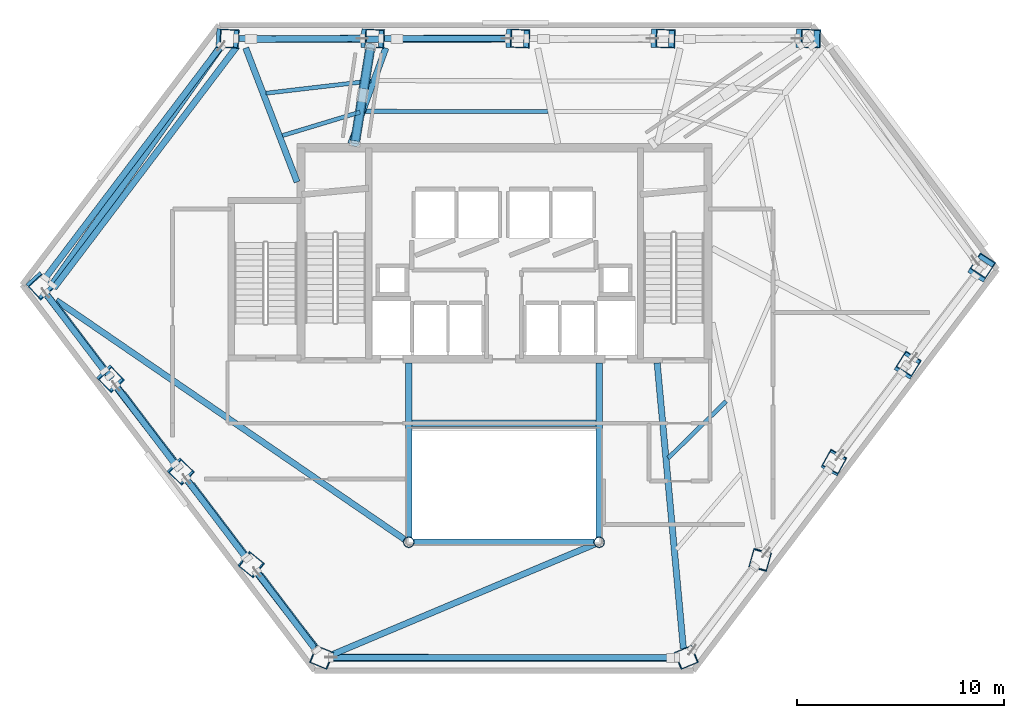
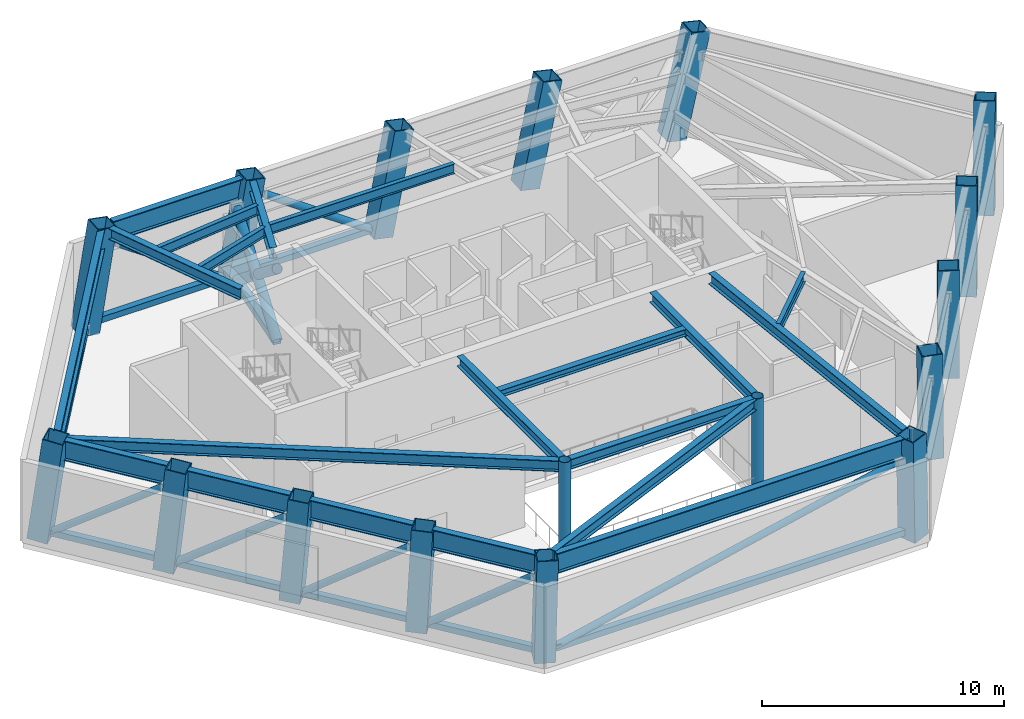
# One storey, part 1 of 9: 20 beams, 20 members, 17 columns.
"""IFC4 building model written with IfcOpenShell, lengths in metres."""

import ifcopenshell
import ifcopenshell.guid

model = None  # the IFC model being written
_history = None  # IfcOwnerHistory: only IFC2X3 demands one
_inside = {}  # id of a spatial element -> (the spatial element, [elements in it])
_under = {}  # id of a project, library or spatial element -> (it, [spatial elements below it])
_declared = {}  # id of a project -> (the project, [libraries it declares])
_typed = {}  # id of a type object -> (the type object, [elements of that type])
_made_of = {}  # id of a material, layer set ... -> (it, [elements and type objects made of it])


def new_model(schema):
    """Start an empty IFC model of exactly this schema.

    Asked for "IFC4X3", IfcOpenShell would pick the latest addendum, in which some entities
    have other attributes; the version numbers below select the first issue.
    IFC2X3 requires an IfcOwnerHistory on every rooted entity: one is made here for all.
    """
    global model, _history
    if schema == "IFC4X3":
        model = ifcopenshell.file(schema_version=(4, 3, 0, 0))
    else:
        model = ifcopenshell.file(schema=schema)
    _inside.clear()
    _under.clear()
    _declared.clear()
    _typed.clear()
    _made_of.clear()
    _history = None
    if model.schema == "IFC2X3":
        org = make("IfcOrganization", Name="unknown")
        user = make(
            "IfcPersonAndOrganization",
            ThePerson=make("IfcPerson", FamilyName="unknown"),
            TheOrganization=org,
        )
        app = make(
            "IfcApplication",
            ApplicationDeveloper=org,
            Version="unknown",
            ApplicationFullName="unknown",
            ApplicationIdentifier="unknown",
        )
        _history = make(
            "IfcOwnerHistory",
            OwningUser=user,
            OwningApplication=app,
            ChangeAction="ADDED",
            CreationDate=0,
        )
    return model


def make(cls, **values):
    """One entity of the class cls with the attributes given. An attribute that is None is left unset."""
    return model.create_entity(
        cls, **{name: value for name, value in values.items() if value is not None}
    )


def rooted(cls, **values):
    """An entity with a GlobalId (a new one), such as an element, a storey or a relation."""
    return make(cls, GlobalId=ifcopenshell.guid.new(), OwnerHistory=_history, **values)


def si_unit(unit_type, name, prefix=None):
    """IfcSIUnit, for example si_unit("LENGTHUNIT", "METRE", prefix="MILLI")."""
    return make("IfcSIUnit", UnitType=unit_type, Prefix=prefix, Name=name)


def assignment(units):
    """IfcUnitAssignment: the units of a project."""
    return None if units is None else make("IfcUnitAssignment", Units=units)


def point(xyz):
    """IfcCartesianPoint."""
    return None if xyz is None else make("IfcCartesianPoint", Coordinates=xyz)


def direction(xyz):
    """IfcDirection."""
    return None if xyz is None else make("IfcDirection", DirectionRatios=xyz)


def frame(location, z_axis=None, x_axis=None):
    """IfcAxis2Placement3D, a coordinate frame: its origin and axes. An axis left out is left unset."""
    return make(
        "IfcAxis2Placement3D",
        Location=point(location),
        Axis=direction(z_axis),
        RefDirection=direction(x_axis),
    )


def frame_2d(location, x_axis=None):
    """IfcAxis2Placement2D, a coordinate frame in the plane: its origin and x axis."""
    return make(
        "IfcAxis2Placement2D", Location=point(location), RefDirection=direction(x_axis)
    )


def origin():
    """The frame at (0, 0, 0) with its axes left unset."""
    return frame((0.0, 0.0, 0.0))


def origin_2d():
    """The frame at (0, 0) in the plane with its x axis left unset."""
    return frame_2d((0.0, 0.0))


def place(relative_to, where):
    """IfcLocalPlacement: puts the frame where relative to a parent placement (None: the world)."""
    return make(
        "IfcLocalPlacement", PlacementRelTo=relative_to, RelativePlacement=where
    )


def context(
    kind, dimensions, precision=None, world=None, true_north=None, identifier=None
):
    """IfcGeometricRepresentationContext, for example the 3D "Model" context."""
    return make(
        "IfcGeometricRepresentationContext",
        ContextIdentifier=identifier,
        ContextType=kind,
        CoordinateSpaceDimension=dimensions,
        Precision=precision,
        WorldCoordinateSystem=world,
        TrueNorth=true_north,
    )


def subcontext(parent, identifier, kind, view, scale=None):
    """IfcGeometricRepresentationSubContext, for example "Body" below "Model"."""
    return make(
        "IfcGeometricRepresentationSubContext",
        ContextIdentifier=identifier,
        ContextType=kind,
        ParentContext=parent,
        TargetScale=scale,
        TargetView=view,
    )


def project(units=None, contexts=None):
    """IfcProject with its units and contexts."""
    return rooted(
        "IfcProject",
        Name="project",
        RepresentationContexts=contexts,
        UnitsInContext=assignment(units),
    )


def spatial(cls, under=None, at=None, **own):
    """A site, building, storey or space (cls), placed at a placement, below another one or the project."""
    s = rooted(cls, ObjectPlacement=at, **own)
    if under is not None:
        _under.setdefault(under.id(), (under, []))[1].append(s)
    return s


def profile(cls, at=None, kind="AREA", **sizes):
    """A parametric profile (cls). Its sizes go by their IFC names, for example OverallWidth=200.0."""
    return make(cls, ProfileType=kind, Position=at, **sizes)


def hollow_rectangle(**sizes):
    """IfcRectangleHollowProfileDef."""
    return profile("IfcRectangleHollowProfileDef", **sizes)


def hollow_circle(**sizes):
    """IfcCircleHollowProfileDef."""
    return profile("IfcCircleHollowProfileDef", **sizes)


def i_section(**sizes):
    """IfcIShapeProfileDef."""
    return profile("IfcIShapeProfileDef", **sizes)


def extrude(swept, where, along, depth):
    """IfcExtrudedAreaSolid: the profile swept, set in the frame where, extruded along a direction by depth."""
    return make(
        "IfcExtrudedAreaSolid",
        SweptArea=swept,
        Position=where,
        ExtrudedDirection=direction(along),
        Depth=depth,
    )


def shape(context_of_items, identifier, shape_type, items):
    """IfcShapeRepresentation: the items that make up one representation, for example the "Body"."""
    return make(
        "IfcShapeRepresentation",
        ContextOfItems=context_of_items,
        RepresentationIdentifier=identifier,
        RepresentationType=shape_type,
        Items=items,
    )


def material(Name=None, Category=None):
    """IfcMaterial."""
    return make("IfcMaterial", Name=Name, Category=Category)


def material_profile(
    of_material, cross_section, Name=None, Category=None, Priority=None
):
    """IfcMaterialProfile: a cross section and its material."""
    return make(
        "IfcMaterialProfile",
        Name=Name,
        Material=of_material,
        Profile=cross_section,
        Priority=Priority,
        Category=Category,
    )


def profile_set(profiles, Name=None, composite=None):
    """IfcMaterialProfileSet."""
    return make(
        "IfcMaterialProfileSet",
        Name=Name,
        MaterialProfiles=profiles,
        CompositeProfile=composite,
    )


def made_of(thing, what):
    """Note that an element or type object is made of a material, layer set ...; save() writes the relation."""
    if what is not None:
        _made_of.setdefault(what.id(), (what, []))[1].append(thing)
    return thing


def type_object(cls, material=None, **own):
    """A type object (cls), such as IfcWallType, which elements share."""
    return made_of(rooted(cls, **own), material)


def element(
    cls,
    number,
    at=None,
    inside=None,
    cuts=None,
    type_object=None,
    material=None,
    context=None,
    identifier="Body",
    shape_type=None,
    held_by="IfcProductDefinitionShape",
    body=None,
    shapes=None,
    **own,
):
    """One element of the class cls, such as IfcWall. Its Tag is "e" and its number.

    at: its placement. inside: the storey or other place that contains it. cuts: it is an
    opening in that element (IfcRelVoidsElement). A single representation is given by context,
    identifier, shape_type and body (its items); several are given by shapes. held_by: the class
    of the entity that holds the representations. save() writes the other relations.
    """
    e = rooted(cls, Tag="e%d" % number, ObjectPlacement=at, **own)
    if body is not None:
        shapes = [shape(context, identifier, shape_type, body)]
    if shapes is not None:
        e.Representation = make(held_by, Representations=shapes)
    if inside is not None:
        _inside.setdefault(inside.id(), (inside, []))[1].append(e)
    if cuts is not None:
        rooted(
            "IfcRelVoidsElement", RelatingBuildingElement=cuts, RelatedOpeningElement=e
        )
    if type_object is not None:
        _typed.setdefault(type_object.id(), (type_object, []))[1].append(e)
    return made_of(e, material)


def aggregate(whole, parts):
    """IfcRelAggregates: a whole, such as a stair, and the parts it consists of."""
    return rooted("IfcRelAggregates", RelatingObject=whole, RelatedObjects=parts)


def save(model, path):
    """Write the relations noted so far, then the file.

    IfcRelAggregates (storeys below a building ...), IfcRelContainedInSpatialStructure (elements
    in a storey), IfcRelDefinesByType, IfcRelAssociatesMaterial and IfcRelDeclares: one each for
    every whole, place, type object, material and project.
    """
    for whole, parts in _under.values():
        aggregate(whole, parts)
    for where, things in _inside.values():
        rooted(
            "IfcRelContainedInSpatialStructure",
            RelatedElements=things,
            RelatingStructure=where,
        )
    for kind, things in _typed.values():
        rooted("IfcRelDefinesByType", RelatedObjects=things, RelatingType=kind)
    for what, things in _made_of.values():
        rooted("IfcRelAssociatesMaterial", RelatedObjects=things, RelatingMaterial=what)
    for by, libraries in _declared.values():
        rooted("IfcRelDeclares", RelatingContext=by, RelatedDefinitions=libraries)
    model.write(path)


model = new_model("IFC4")

# Units and contexts
model_context = context("Model", 3, precision=1e-05, world=origin(), true_north=direction((0.0, 1.0)))
body_context = subcontext(model_context, "Body", "Model", "MODEL_VIEW")
ifc_project = project(units=[si_unit("LENGTHUNIT", "METRE"), si_unit("AREAUNIT", "SQUARE_METRE"), si_unit("VOLUMEUNIT", "CUBIC_METRE"), si_unit("PLANEANGLEUNIT", "RADIAN"), si_unit("MASSUNIT", "GRAM", prefix="KILO")], contexts=[model_context])

# Site, building, storey
site_placement = place(None, origin())
site = spatial("IfcSite", under=ifc_project, at=site_placement, CompositionType="ELEMENT")
building_placement = place(site_placement, origin())
building = spatial("IfcBuilding", under=site, at=building_placement, Name="Zarrinselat Tower", CompositionType="ELEMENT")
storey_placement = place(building_placement, frame((0.0, 0.0, 109.139892578125)))
storey = spatial("IfcBuildingStorey", under=building, at=storey_placement, Name="L26", CompositionType="ELEMENT", Elevation=109.139892578125)

# Columns
ifc_material_1 = material(Name="Steel S355J2", Category="steel")
ifc_material_profile_1 = material_profile(ifc_material_1, hollow_circle(Radius=0.25390625, WallThickness=0.02001953125, at=origin_2d()), Name="CHS 508x20")
ifc_profile_set_1 = profile_set([ifc_material_profile_1], Name="Steel S355J2")
column_type_1 = type_object("IfcColumnType", Name="COL-CHS508", PredefinedType="COLUMN", material=ifc_profile_set_1)
for number, where, z_axis, x_axis, name in (
    (1, (33.800048828125, 24.39990234375, 0.0), (0.0, 0.0, 1.0), (1.0, 0.0, 0.0), "L26 Atrium Corner Column 1"),
    (2, (43.0, 24.39990234375, 0.0), (0.0, 0.0, 1.0), (1.0, 0.0, 0.0), "L26 Atrium Corner Column 2"),
):
    element("IfcColumn", number, at=place(storey_placement, frame(where, z_axis=z_axis, x_axis=x_axis)), inside=storey, type_object=column_type_1, Name=name, PredefinedType="COLUMN", context=body_context, shape_type="SweptSolid", body=[
        extrude(hollow_circle(Radius=0.25390625, WallThickness=0.02001953125, at=origin_2d()), origin(), (0.0, 0.0, 1.0), 5.14013671875),
    ])
ifc_material_2 = material(Name="Steel S460M", Category="steel")
ifc_material_profile_2 = material_profile(ifc_material_2, hollow_rectangle(XDim=0.89990234375, YDim=0.89990234375, WallThickness=0.044921875, at=origin_2d()), Name="SHS 900x900x45")
ifc_profile_set_2 = profile_set([ifc_material_profile_2], Name="Steel S460M")
column_type_2 = type_object("IfcColumnType", Name="COL-SHS900", PredefinedType="COLUMN", material=ifc_profile_set_2)
column_1_placement = place(storey_placement, frame((52.96240234375, 48.7333984375, 0.0), z_axis=(0.216674097816, -0.007418757897, 0.976215804711), x_axis=(0.034219194586, 0.999414351869, 0.0)))
element("IfcColumn", 3, at=column_1_placement, inside=storey, type_object=column_type_2, Name="L26 Framed-Tube Column T01", PredefinedType="COLUMN", context=body_context, shape_type="SweptSolid", body=[
    extrude(hollow_rectangle(XDim=0.89990234375, YDim=0.89990234375, WallThickness=0.044921875, at=origin_2d()), origin(), (0.0, 0.0, 1.0), 5.265380859375),
])
column_2_placement = place(storey_placement, frame((45.96142578125, 48.7333984375, 0.0), z_axis=(0.201573827535, -0.007443298501, 0.979445041521), x_axis=(0.036900768418, 0.99931893472, 0.0)))
element("IfcColumn", 4, at=column_2_placement, inside=storey, type_object=column_type_2, Name="L26 Framed-Tube Column T02", PredefinedType="COLUMN", context=body_context, shape_type="SweptSolid", body=[
    extrude(hollow_rectangle(XDim=0.89990234375, YDim=0.89990234375, WallThickness=0.044921875, at=origin_2d()), origin(), (0.0, 0.0, 1.0), 5.248046875),
])
column_3_placement = place(storey_placement, frame((38.96044921875, 48.7333984375, 0.0), z_axis=(0.186328457579, -0.00746620416, 0.98245913996), x_axis=(0.040037992811, 0.999198158091, 0.0)))
element("IfcColumn", 5, at=column_3_placement, inside=storey, type_object=column_type_2, Name="L26 Framed-Tube Column T03", PredefinedType="COLUMN", context=body_context, shape_type="SweptSolid", body=[
    extrude(hollow_rectangle(XDim=0.89990234375, YDim=0.89990234375, WallThickness=0.044921875, at=origin_2d()), origin(), (0.0, 0.0, 1.0), 5.23193359375),
])
column_4_placement = place(storey_placement, frame((31.95947265625, 48.7333984375, 0.0), z_axis=(0.170947304265, -0.007487426412, 0.985251722967), x_axis=(0.043757664372, 0.99904217469, 0.0)))
element("IfcColumn", 6, at=column_4_placement, inside=storey, type_object=column_type_2, Name="L26 Framed-Tube Column T04", PredefinedType="COLUMN", context=body_context, shape_type="SweptSolid", body=[
    extrude(hollow_rectangle(XDim=0.89990234375, YDim=0.89990234375, WallThickness=0.044921875, at=origin_2d()), origin(), (0.0, 0.0, 1.0), 5.217041015625),
])
column_5_placement = place(storey_placement, frame((24.95849609375, 48.7333984375, 0.0), z_axis=(0.155440154603, -0.007506919631, 0.987816786907), x_axis=(0.048238374982, 0.998835851969, 0.0)))
element("IfcColumn", 7, at=column_5_placement, inside=storey, type_object=column_type_2, Name="L26 Framed-Tube Column T05", PredefinedType="COLUMN", context=body_context, shape_type="SweptSolid", body=[
    extrude(hollow_rectangle(XDim=0.89990234375, YDim=0.89990234375, WallThickness=0.044921875, at=origin_2d()), origin(), (0.0, 0.0, 1.0), 5.20361328125),
])
column_6_placement = place(storey_placement, frame((15.94677734375, 36.837890625, 0.0), z_axis=(0.088241034691, -0.096952129365, 0.991369660827), x_axis=(0.73954989018, 0.673101745604, 0.0)))
element("IfcColumn", 8, at=column_6_placement, inside=storey, type_object=column_type_2, Name="L26 Framed-Tube Column T06", PredefinedType="COLUMN", context=body_context, shape_type="SweptSolid", body=[
    extrude(hollow_rectangle(XDim=0.89990234375, YDim=0.89990234375, WallThickness=0.044921875, at=origin_2d()), origin(), (0.0, 0.0, 1.0), 5.184814453125),
])
column_7_placement = place(storey_placement, frame((19.35498046875, 32.339111328125, 0.0), z_axis=(0.071804227067, -0.075158240306, 0.994583024131), x_axis=(0.723056265283, 0.690789140936, 0.0)))
element("IfcColumn", 9, at=column_7_placement, inside=storey, type_object=column_type_2, Name="L26 Framed-Tube Column T07", PredefinedType="COLUMN", context=body_context, shape_type="SweptSolid", body=[
    extrude(hollow_rectangle(XDim=0.89990234375, YDim=0.89990234375, WallThickness=0.044921875, at=origin_2d()), origin(), (0.0, 0.0, 1.0), 5.168212890625),
])
column_8_placement = place(storey_placement, frame((22.76318359375, 27.84033203125, 0.0), z_axis=(0.055171198023, -0.05318219346, 0.99705957355), x_axis=(0.694009755069, 0.719965596309, 0.0)))
element("IfcColumn", 10, at=column_8_placement, inside=storey, type_object=column_type_2, Name="L26 Framed-Tube Column T08", PredefinedType="COLUMN", context=body_context, shape_type="SweptSolid", body=[
    extrude(hollow_rectangle(XDim=0.89990234375, YDim=0.89990234375, WallThickness=0.044921875, at=origin_2d()), origin(), (0.0, 0.0, 1.0), 5.1552734375),
])
column_9_placement = place(storey_placement, frame((26.17138671875, 23.341552734375, 0.0), z_axis=(0.038425495326, -0.031072468442, 0.998778245165), x_axis=(0.628783903338, 0.777580094204, 0.0)))
element("IfcColumn", 11, at=column_9_placement, inside=storey, type_object=column_type_2, Name="L26 Framed-Tube Column T09", PredefinedType="COLUMN", context=body_context, shape_type="SweptSolid", body=[
    extrude(hollow_rectangle(XDim=0.89990234375, YDim=0.89990234375, WallThickness=0.044921875, at=origin_2d()), origin(), (0.0, 0.0, 1.0), 5.146484375),
])
for number, where, z_axis, x_axis, name in (
    (12, (29.579345703125, 18.8427734375, 0.0), (0.021652660357, -0.008879490103, 0.999726120973), (0.379422760375, 0.925223415673, 0.0), "L26 Framed-Tube Column T10"),
    (13, (47.220703125, 18.8427734375, 0.0), (-0.021652660357, -0.008879490103, 0.999726120973), (0.379422760375, -0.925223415673, 0.0), "L26 Framed-Tube Column T11"),
):
    element("IfcColumn", number, at=place(storey_placement, frame(where, z_axis=z_axis, x_axis=x_axis)), inside=storey, type_object=column_type_2, Name=name, PredefinedType="COLUMN", context=body_context, shape_type="SweptSolid", body=[
        extrude(hollow_rectangle(XDim=0.89990234375, YDim=0.89990234375, WallThickness=0.044921875, at=origin_2d()), origin(), (0.0, 0.0, 1.0), 5.1416015625),
    ])
column_10_placement = place(storey_placement, frame((50.768798828125, 23.526611328125, 0.0), z_axis=(0.008924653337, 0.031426172922, 0.999466230654), x_axis=(-0.961961397693, 0.273185412034, 0.0)))
element("IfcColumn", 14, at=column_10_placement, inside=storey, type_object=column_type_2, Name="L26 Framed-Tube Column T12", PredefinedType="COLUMN", context=body_context, shape_type="SweptSolid", body=[
    extrude(hollow_rectangle(XDim=0.89990234375, YDim=0.89990234375, WallThickness=0.044921875, at=origin_2d()), origin(), (0.0, 0.0, 1.0), 5.142822265625),
])
column_11_placement = place(storey_placement, frame((54.317138671875, 28.210205078125, 0.0), z_axis=(0.039385336482, 0.071575274952, 0.996657300824), x_axis=(-0.876118019214, 0.482096687821, 0.0)))
element("IfcColumn", 15, at=column_11_placement, inside=storey, type_object=column_type_2, Name="L26 Framed-Tube Column T13", PredefinedType="COLUMN", context=body_context, shape_type="SweptSolid", body=[
    extrude(hollow_rectangle(XDim=0.89990234375, YDim=0.89990234375, WallThickness=0.044921875, at=origin_2d()), origin(), (0.0, 0.0, 1.0), 5.157470703125),
])
column_12_placement = place(storey_placement, frame((57.865234375, 32.893798828125, 0.0), z_axis=(0.06949956281, 0.11126522149, 0.991357584959), x_axis=(-0.848139424155, 0.529773080851, 0.0)))
element("IfcColumn", 16, at=column_12_placement, inside=storey, type_object=column_type_2, Name="L26 Framed-Tube Column T14", PredefinedType="COLUMN", context=body_context, shape_type="SweptSolid", body=[
    extrude(hollow_rectangle(XDim=0.89990234375, YDim=0.89990234375, WallThickness=0.044921875, at=origin_2d()), origin(), (0.0, 0.0, 1.0), 5.18505859375),
])
column_13_placement = place(storey_placement, frame((61.41357421875, 37.57763671875, 0.0), z_axis=(0.099005934987, 0.150074121368, 0.983705028417), x_axis=(-0.834719306533, 0.550675657081, 0.0)))
element("IfcColumn", 17, at=column_13_placement, inside=storey, type_object=column_type_2, Name="L26 Framed-Tube Column T15", PredefinedType="COLUMN", context=body_context, shape_type="SweptSolid", body=[
    extrude(hollow_rectangle(XDim=0.89990234375, YDim=0.89990234375, WallThickness=0.044921875, at=origin_2d()), origin(), (0.0, 0.0, 1.0), 5.225341796875),
])

# Beams
ifc_material_3 = material(Name="Steel S355J2", Category="steel")
ifc_material_profile_3 = material_profile(ifc_material_3, i_section(OverallWidth=0.300048828125, OverallDepth=0.35009765625, WebThickness=0.010009765625, FlangeThickness=0.017578125, at=origin_2d()), Name="HEA 360")
ifc_profile_set_3 = profile_set([ifc_material_profile_3], Name="Steel S355J2")
beam_type_1 = type_object("IfcBeamType", Name="BM-HEA360", PredefinedType="LINTEL", material=ifc_profile_set_3)
beam_1_placement = place(storey_placement, frame((33.93994140625, 30.14990234375, 4.965087890625), z_axis=(1.0, 0.0, 0.0), x_axis=(0.0, 1.0, 0.0)))
element("IfcBeam", 18, at=beam_1_placement, inside=storey, type_object=beam_type_1, Name="L26 Lift Lobby Ceiling Beam", PredefinedType="LINTEL", context=body_context, shape_type="SweptSolid", body=[
    extrude(i_section(OverallWidth=0.300048828125, OverallDepth=0.35009765625, WebThickness=0.010009765625, FlangeThickness=0.017578125, at=origin_2d()), origin(), (0.0, 0.0, 1.0), 8.920166015625),
])
ifc_material_4 = material(Name="Steel S355J2", Category="steel")
ifc_material_profile_4 = material_profile(ifc_material_4, i_section(OverallWidth=0.300048828125, OverallDepth=0.5, WebThickness=0.014404296875, FlangeThickness=0.028076171875, at=origin_2d()), Name="HEB 500")
ifc_profile_set_4 = profile_set([ifc_material_profile_4], Name="Steel S355J2")
beam_type_2 = type_object("IfcBeamType", Name="BM-HEB500", PredefinedType="BEAM", material=ifc_profile_set_4)
beam_2_placement = place(storey_placement, frame((34.0400390625, 24.39990234375, 4.89013671875), z_axis=(1.0, 0.0, 0.0), x_axis=(0.0, 1.0, 0.0)))
element("IfcBeam", 19, at=beam_2_placement, inside=storey, type_object=beam_type_2, Name="L26 Atrium Edge Beam S", PredefinedType="BEAM", context=body_context, shape_type="SweptSolid", body=[
    extrude(i_section(OverallWidth=0.300048828125, OverallDepth=0.5, WebThickness=0.014404296875, FlangeThickness=0.028076171875, at=origin_2d()), origin(), (0.0, 0.0, 1.0), 8.719970703125),
])
for number, where, z_axis, x_axis, name in (
    (20, (33.800048828125, 24.639892578125, 4.89013671875), (0.0, 1.0, 0.0), (-1.0, 0.0, 0.0), "L26 Atrium Edge Beam W"),
    (21, (43.0, 24.639892578125, 4.89013671875), (0.0, 1.0, 0.0), (-1.0, 0.0, 0.0), "L26 Atrium Edge Beam E"),
):
    element("IfcBeam", number, at=place(storey_placement, frame(where, z_axis=z_axis, x_axis=x_axis)), inside=storey, type_object=beam_type_2, Name=name, PredefinedType="BEAM", context=body_context, shape_type="SweptSolid", body=[
        extrude(i_section(OverallWidth=0.300048828125, OverallDepth=0.5, WebThickness=0.014404296875, FlangeThickness=0.028076171875, at=origin_2d()), origin(), (0.0, 0.0, 1.0), 8.420166015625),
    ])
ifc_material_5 = material(Name="Steel S355J2", Category="steel")
ifc_material_profile_5 = material_profile(ifc_material_5, i_section(OverallWidth=0.300048828125, OverallDepth=0.550048828125, WebThickness=0.014892578125, FlangeThickness=0.029052734375, at=origin_2d()), Name="HEB 550")
ifc_profile_set_5 = profile_set([ifc_material_profile_5], Name="Steel S355J2")
beam_type_3 = type_object("IfcBeamType", Name="BM-HEB550", PredefinedType="BEAM", material=ifc_profile_set_5)
beam_3_placement = place(storey_placement, frame((31.0, 43.639892578125, 4.864990234375), z_axis=(0.343912743839, 0.939001610555, 0.0), x_axis=(-0.939001610555, 0.343912743839, 0.0)))
element("IfcBeam", 22, at=beam_3_placement, inside=storey, type_object=beam_type_3, Name="L26 Radial Primary Girder RG04", PredefinedType="BEAM", context=body_context, shape_type="SweptSolid", body=[
    extrude(i_section(OverallWidth=0.300048828125, OverallDepth=0.550048828125, WebThickness=0.014892578125, FlangeThickness=0.029052734375, at=origin_2d()), origin(), (0.0, 0.0, 1.0), 4.930908203125),
])
beam_4_placement = place(storey_placement, frame((25.92919921875, 48.272216796875, 4.864990234375), z_axis=(0.357900182766, -0.933759850913, 0.0), x_axis=(0.933759850913, 0.357900182766, 0.0)))
element("IfcBeam", 23, at=beam_4_placement, inside=storey, type_object=beam_type_3, Name="L26 Radial Primary Girder RG05", PredefinedType="BEAM", context=body_context, shape_type="SweptSolid", body=[
    extrude(i_section(OverallWidth=0.300048828125, OverallDepth=0.550048828125, WebThickness=0.014892578125, FlangeThickness=0.029052734375, at=origin_2d()), origin(), (0.0, 0.0, 1.0), 6.931396484375),
])
beam_5_placement = place(storey_placement, frame((16.777099609375, 36.079345703125, 4.864990234375), z_axis=(0.824585731902, -0.565737015533, 0.0), x_axis=(0.565737015533, 0.824585731902, 0.0)))
element("IfcBeam", 24, at=beam_5_placement, inside=storey, type_object=beam_type_3, Name="L26 Radial Primary Girder RG06", PredefinedType="BEAM", context=body_context, shape_type="SweptSolid", body=[
    extrude(i_section(OverallWidth=0.300048828125, OverallDepth=0.550048828125, WebThickness=0.014892578125, FlangeThickness=0.029052734375, at=origin_2d()), origin(), (0.0, 0.0, 1.0), 20.394287109375),
])
beam_6_placement = place(storey_placement, frame((30.107421875, 18.972412109375, 4.864990234375), z_axis=(0.921657451077, 0.388004565533, 0.0), x_axis=(-0.388004565533, 0.921657451077, 0.0)))
element("IfcBeam", 25, at=beam_6_placement, inside=storey, type_object=beam_type_3, Name="L26 Radial Primary Girder RG10", PredefinedType="BEAM", context=body_context, shape_type="SweptSolid", body=[
    extrude(i_section(OverallWidth=0.300048828125, OverallDepth=0.550048828125, WebThickness=0.014892578125, FlangeThickness=0.029052734375, at=origin_2d()), origin(), (0.0, 0.0, 1.0), 13.738525390625),
])
beam_7_placement = place(storey_placement, frame((45.800048828125, 33.06005859375, 4.864990234375), z_axis=(0.091419656285, -0.995812455458, 0.0), x_axis=(0.995812455458, 0.091419656285, 0.0)))
element("IfcBeam", 26, at=beam_7_placement, inside=storey, type_object=beam_type_3, Name="L26 Radial Primary Girder RG11", PredefinedType="BEAM", context=body_context, shape_type="SweptSolid", body=[
    extrude(i_section(OverallWidth=0.300048828125, OverallDepth=0.550048828125, WebThickness=0.014892578125, FlangeThickness=0.029052734375, at=origin_2d()), origin(), (0.0, 0.0, 1.0), 13.870849609375),
])
ifc_material_6 = material(Name="Steel S460M", Category="steel")
ifc_material_profile_6 = material_profile(ifc_material_6, i_section(OverallWidth=0.302001953125, OverallDepth=1.008056640625, WebThickness=0.02099609375, FlangeThickness=0.0400390625, at=origin_2d()), Name="HEM 1000")
ifc_profile_set_6 = profile_set([ifc_material_profile_6], Name="Steel S460M")
beam_type_4 = type_object("IfcBeamType", Name="BM-HEM1000", PredefinedType="BEAM", material=ifc_profile_set_6)
beam_8_placement = place(storey_placement, frame((26.205322265625, 48.6943359375, 4.635986328125), z_axis=(1.0, 0.0, 0.0), x_axis=(0.0, 1.0, 0.0)))
element("IfcBeam", 27, at=beam_8_placement, inside=storey, type_object=beam_type_4, Name="L26 Perimeter Spandrel Girder SP04", PredefinedType="BEAM", context=body_context, shape_type="SweptSolid", body=[
    extrude(i_section(OverallWidth=0.302001953125, OverallDepth=1.008056640625, WebThickness=0.02099609375, FlangeThickness=0.0400390625, at=origin_2d()), origin(), (0.0, 0.0, 1.0), 6.2080078125),
])
beam_9_placement = place(storey_placement, frame((16.6689453125, 36.68408203125, 4.635986328125), z_axis=(0.603848691475, 0.79709896362, 0.0), x_axis=(-0.79709896362, 0.603848691475, 0.0)))
element("IfcBeam", 28, at=beam_9_placement, inside=storey, type_object=beam_type_4, Name="L26 Perimeter Spandrel Girder SP05", PredefinedType="BEAM", context=body_context, shape_type="SweptSolid", body=[
    extrude(i_section(OverallWidth=0.302001953125, OverallDepth=1.008056640625, WebThickness=0.02099609375, FlangeThickness=0.0400390625, at=origin_2d()), origin(), (0.0, 0.0, 1.0), 14.62939453125),
])
beam_10_placement = place(storey_placement, frame((16.6689453125, 35.986083984375, 4.635986328125), z_axis=(0.603836343004, -0.797108318152, 0.0), x_axis=(0.797108318152, 0.603836343004, 0.0)))
element("IfcBeam", 29, at=beam_10_placement, inside=storey, type_object=beam_type_4, Name="L26 Perimeter Spandrel Girder SP06", PredefinedType="BEAM", context=body_context, shape_type="SweptSolid", body=[
    extrude(i_section(OverallWidth=0.302001953125, OverallDepth=1.008056640625, WebThickness=0.02099609375, FlangeThickness=0.0400390625, at=origin_2d()), origin(), (0.0, 0.0, 1.0), 4.62451171875),
])
beam_11_placement = place(storey_placement, frame((19.990478515625, 31.6015625, 4.635986328125), z_axis=(0.60386988455, -0.797082908193, 0.0), x_axis=(0.797082908193, 0.60386988455, 0.0)))
element("IfcBeam", 30, at=beam_11_placement, inside=storey, type_object=beam_type_4, Name="L26 Perimeter Spandrel Girder SP07", PredefinedType="BEAM", context=body_context, shape_type="SweptSolid", body=[
    extrude(i_section(OverallWidth=0.302001953125, OverallDepth=1.008056640625, WebThickness=0.02099609375, FlangeThickness=0.0400390625, at=origin_2d()), origin(), (0.0, 0.0, 1.0), 4.624755859375),
])
beam_12_placement = place(storey_placement, frame((23.31201171875, 27.217041015625, 4.635986328125), z_axis=(0.603836343004, -0.797108318152, 0.0), x_axis=(0.797108318152, 0.603836343004, 0.0)))
element("IfcBeam", 31, at=beam_12_placement, inside=storey, type_object=beam_type_4, Name="L26 Perimeter Spandrel Girder SP08", PredefinedType="BEAM", context=body_context, shape_type="SweptSolid", body=[
    extrude(i_section(OverallWidth=0.302001953125, OverallDepth=1.008056640625, WebThickness=0.02099609375, FlangeThickness=0.0400390625, at=origin_2d()), origin(), (0.0, 0.0, 1.0), 4.62451171875),
])
beam_13_placement = place(storey_placement, frame((26.633544921875, 22.83251953125, 4.635986328125), z_axis=(0.60386988455, -0.797082908193, 0.0), x_axis=(0.797082908193, 0.60386988455, 0.0)))
element("IfcBeam", 32, at=beam_13_placement, inside=storey, type_object=beam_type_4, Name="L26 Perimeter Spandrel Girder SP09", PredefinedType="BEAM", context=body_context, shape_type="SweptSolid", body=[
    extrude(i_section(OverallWidth=0.302001953125, OverallDepth=1.008056640625, WebThickness=0.02099609375, FlangeThickness=0.0400390625, at=origin_2d()), origin(), (0.0, 0.0, 1.0), 4.624755859375),
])
beam_14_placement = place(storey_placement, frame((30.128662109375, 18.797119140625, 4.635986328125), z_axis=(1.0, 0.0, 0.0), x_axis=(0.0, 1.0, 0.0)))
element("IfcBeam", 33, at=beam_14_placement, inside=storey, type_object=beam_type_4, Name="L26 Perimeter Spandrel Girder SP10", PredefinedType="BEAM", context=body_context, shape_type="SweptSolid", body=[
    extrude(i_section(OverallWidth=0.302001953125, OverallDepth=1.008056640625, WebThickness=0.02099609375, FlangeThickness=0.0400390625, at=origin_2d()), origin(), (0.0, 0.0, 1.0), 16.542724609375),
])
ifc_material_7 = material(Name="Steel S355J2", Category="steel")
ifc_material_profile_7 = material_profile(ifc_material_7, i_section(OverallWidth=0.199951171875, OverallDepth=0.5, WebThickness=0.01025390625, FlangeThickness=0.01611328125, at=origin_2d()), Name="IPE 500")
ifc_profile_set_7 = profile_set([ifc_material_profile_7], Name="Steel S355J2")
beam_type_5 = type_object("IfcBeamType", Name="BM-IPE500", PredefinedType="JOIST", material=ifc_profile_set_7)
beam_15_placement = place(storey_placement, frame((46.3310546875, 28.4619140625, 4.89013671875), z_axis=(0.713130194715, 0.701031615111, 0.0), x_axis=(-0.701031615111, 0.713130194715, 0.0)))
element("IfcBeam", 34, at=beam_15_placement, inside=storey, type_object=beam_type_5, Name="L26 Composite Floor Joist 3-2", PredefinedType="JOIST", context=body_context, shape_type="SweptSolid", body=[
    extrude(i_section(OverallWidth=0.199951171875, OverallDepth=0.5, WebThickness=0.01025390625, FlangeThickness=0.01611328125, at=origin_2d()), origin(), (0.0, 0.0, 1.0), 3.914794921875),
])
beam_16_placement = place(storey_placement, frame((31.716552734375, 45.214111328125, 4.89013671875), z_axis=(0.999999778995, -0.000664838214, 0.0), x_axis=(0.000664838214, 0.999999778995, 0.0)))
element("IfcBeam", 35, at=beam_16_placement, inside=storey, type_object=beam_type_5, Name="L26 Composite Floor Joist 8-2", PredefinedType="JOIST", context=body_context, shape_type="SweptSolid", body=[
    extrude(i_section(OverallWidth=0.199951171875, OverallDepth=0.5, WebThickness=0.01025390625, FlangeThickness=0.01611328125, at=origin_2d()), origin(), (0.0, 0.0, 1.0), 8.813232421875),
])
beam_17_placement = place(storey_placement, frame((26.91162109375, 46.087890625, 4.89013671875), z_axis=(0.993252764265, 0.115969592051, 0.0), x_axis=(-0.115969592051, 0.993252764265, 0.0)))
element("IfcBeam", 36, at=beam_17_placement, inside=storey, type_object=beam_type_5, Name="L26 Composite Floor Joist 9-1", PredefinedType="JOIST", context=body_context, shape_type="SweptSolid", body=[
    extrude(i_section(OverallWidth=0.199951171875, OverallDepth=0.5, WebThickness=0.01025390625, FlangeThickness=0.01611328125, at=origin_2d()), origin(), (0.0, 0.0, 1.0), 5.10302734375),
])
beam_18_placement = place(storey_placement, frame((27.700439453125, 44.041015625, 4.89013671875), z_axis=(0.957125704195, 0.28967289547, 0.0), x_axis=(-0.28967289547, 0.957125704195, 0.0)))
element("IfcBeam", 37, at=beam_18_placement, inside=storey, type_object=beam_type_5, Name="L26 Composite Floor Joist 9-2", PredefinedType="JOIST", context=body_context, shape_type="SweptSolid", body=[
    extrude(i_section(OverallWidth=0.199951171875, OverallDepth=0.5, WebThickness=0.01025390625, FlangeThickness=0.01611328125, at=origin_2d()), origin(), (0.0, 0.0, 1.0), 3.909912109375),
])

# Members
ifc_material_8 = material(Name="Steel S355J2", Category="steel")
ifc_material_profile_8 = material_profile(ifc_material_8, hollow_circle(Radius=0.177734375, WallThickness=0.01416015625, at=origin_2d()), Name="CHS 355.6x14.2")
ifc_profile_set_8 = profile_set([ifc_material_profile_8], Name="Steel S355J2")
member_type_1 = type_object("IfcMemberType", Name="MEM-BELT-BR1", PredefinedType="BRACE", material=ifc_profile_set_8)
member_1_placement = place(storey_placement, frame((38.564697265625, 48.730712890625, 0.35009765625), z_axis=(-0.818997584698, -0.004358216486, 0.573780412882), x_axis=(0.005321328001, -0.999985841634, 0.0)))
element("IfcMember", 38, at=member_1_placement, inside=storey, type_object=member_type_1, Name="L26 Perimeter Belt Truss Diagonal 3", PredefinedType="BRACE", context=body_context, shape_type="SweptSolid", body=[
    extrude(hollow_circle(Radius=0.177734375, WallThickness=0.01416015625, at=origin_2d()), origin(), (0.0, 0.0, 1.0), 6.330078125),
])
member_2_placement = place(storey_placement, frame((24.734619140625, 48.3623046875, 0.35009765625), z_axis=(-0.558626766449, -0.791054116277, 0.249338165806), x_axis=(0.81685321602, -0.57684558027, 0.0)))
element("IfcMember", 39, at=member_2_placement, inside=storey, type_object=member_type_1, Name="L26 Perimeter Belt Truss Diagonal 5", PredefinedType="BRACE", context=body_context, shape_type="SweptSolid", body=[
    extrude(hollow_circle(Radius=0.177734375, WallThickness=0.01416015625, at=origin_2d()), origin(), (0.0, 0.0, 1.0), 14.56689453125),
])
member_3_placement = place(storey_placement, frame((19.6591796875, 31.9443359375, 0.35009765625), z_axis=(0.492722637842, -0.638743954893, 0.590957326924), x_axis=(0.791795863432, 0.610785814056, 0.0)))
element("IfcMember", 40, at=member_3_placement, inside=storey, type_object=member_type_1, Name="L26 Perimeter Belt Truss Diagonal 7", PredefinedType="BRACE", context=body_context, shape_type="SweptSolid", body=[
    extrude(hollow_circle(Radius=0.177734375, WallThickness=0.01416015625, at=origin_2d()), origin(), (0.0, 0.0, 1.0), 6.14599609375),
])
member_4_placement = place(storey_placement, frame((26.463623046875, 22.96240234375, 0.35009765625), z_axis=(0.485633664967, -0.629083884745, 0.606970682492), x_axis=(0.791575072903, 0.611071930266, 0.0)))
element("IfcMember", 41, at=member_4_placement, inside=storey, type_object=member_type_1, Name="L26 Perimeter Belt Truss Diagonal 9", PredefinedType="BRACE", context=body_context, shape_type="SweptSolid", body=[
    extrude(hollow_circle(Radius=0.177734375, WallThickness=0.01416015625, at=origin_2d()), origin(), (0.0, 0.0, 1.0), 5.98388671875),
])
ifc_material_9 = material(Name="Steel S355J2", Category="steel")
ifc_material_profile_9 = material_profile(ifc_material_9, hollow_circle(Radius=0.161865234375, WallThickness=0.012451171875, at=origin_2d()), Name="CHS 323.9x12.5")
ifc_profile_set_9 = profile_set([ifc_material_profile_9], Name="Steel S355J2")
member_type_2 = type_object("IfcMemberType", Name="MEM-BELT-BR2", PredefinedType="BRACE", material=ifc_profile_set_9)
member_5_placement = place(storey_placement, frame((31.55810546875, 48.730712890625, 0.35009765625), z_axis=(-0.822010835186, -0.004325365512, 0.569455422355), x_axis=(0.005261859635, -0.999986156321, 0.0)))
element("IfcMember", 42, at=member_5_placement, inside=storey, type_object=member_type_2, Name="L26 Perimeter Belt Truss Diagonal 4", PredefinedType="BRACE", context=body_context, shape_type="SweptSolid", body=[
    extrude(hollow_circle(Radius=0.161865234375, WallThickness=0.012451171875, at=origin_2d()), origin(), (0.0, 0.0, 1.0), 6.378173828125),
])
member_6_placement = place(storey_placement, frame((16.2568359375, 36.435302734375, 0.35009765625), z_axis=(0.496066638307, -0.643299059759, 0.583167394555), x_axis=(0.791896925193, 0.610654779618, 0.0)))
element("IfcMember", 43, at=member_6_placement, inside=storey, type_object=member_type_2, Name="L26 Perimeter Belt Truss Diagonal 6", PredefinedType="BRACE", context=body_context, shape_type="SweptSolid", body=[
    extrude(hollow_circle(Radius=0.161865234375, WallThickness=0.012451171875, at=origin_2d()), origin(), (0.0, 0.0, 1.0), 6.228271484375),
])
member_7_placement = place(storey_placement, frame((23.0615234375, 27.45361328125, 0.35009765625), z_axis=(0.489215950838, -0.634052533666, 0.59886988403), x_axis=(0.791728077099, 0.610873679194, 0.0)))
element("IfcMember", 44, at=member_7_placement, inside=storey, type_object=member_type_2, Name="L26 Perimeter Belt Truss Diagonal 8", PredefinedType="BRACE", context=body_context, shape_type="SweptSolid", body=[
    extrude(hollow_circle(Radius=0.161865234375, WallThickness=0.012451171875, at=origin_2d()), origin(), (0.0, 0.0, 1.0), 6.06494140625),
])
member_8_placement = place(storey_placement, frame((30.049072265625, 18.839599609375, 0.35009765625), z_axis=(0.976215760756, -0.00192354914, 0.216792731453), x_axis=(0.001970410111, 0.99999805874, 0.0)))
element("IfcMember", 45, at=member_8_placement, inside=storey, type_object=member_type_2, Name="L26 Perimeter Belt Truss Diagonal 10", PredefinedType="BRACE", context=body_context, shape_type="SweptSolid", body=[
    extrude(hollow_circle(Radius=0.161865234375, WallThickness=0.012451171875, at=origin_2d()), origin(), (0.0, 0.0, 1.0), 16.753662109375),
])
ifc_material_10 = material(Name="Steel S460M", Category="steel")
ifc_material_profile_10 = material_profile(ifc_material_10, hollow_rectangle(XDim=0.300048828125, YDim=0.300048828125, WallThickness=0.01611328125, at=origin_2d()), Name="SHS 300x300x16")
ifc_profile_set_10 = profile_set([ifc_material_profile_10], Name="Steel S460M")
member_type_3 = type_object("IfcMemberType", Name="MEM-BELT-CHORD", PredefinedType="CHORD", material=ifc_profile_set_10)
for number, where, z_axis, x_axis, name in (
    (46, (38.564697265625, 48.730712890625, 0.35009765625), (-1.0, 0.0, 0.0), (0.0, -1.0, 0.0), "L26 Perimeter Belt Truss Chord 3"),
    (47, (31.55810546875, 48.730712890625, 0.35009765625), (-1.0, 0.0, 0.0), (0.0, -1.0, 0.0), "L26 Perimeter Belt Truss Chord 4"),
):
    element("IfcMember", number, at=place(storey_placement, frame(where, z_axis=z_axis, x_axis=x_axis)), inside=storey, type_object=member_type_3, Name=name, PredefinedType="CHORD", context=body_context, shape_type="SweptSolid", body=[
        extrude(hollow_rectangle(XDim=0.300048828125, YDim=0.300048828125, WallThickness=0.01611328125, at=origin_2d()), origin(), (0.0, 0.0, 1.0), 6.08251953125),
    ])
member_9_placement = place(storey_placement, frame((24.734619140625, 48.3623046875, 0.35009765625), z_axis=(-0.603866058271, -0.797085806967, 0.0), x_axis=(0.797085806967, -0.603866058271, 0.0)))
element("IfcMember", 48, at=member_9_placement, inside=storey, type_object=member_type_3, Name="L26 Perimeter Belt Truss Chord 5", PredefinedType="CHORD", context=body_context, shape_type="SweptSolid", body=[
    extrude(hollow_rectangle(XDim=0.300048828125, YDim=0.300048828125, WallThickness=0.01611328125, at=origin_2d()), origin(), (0.0, 0.0, 1.0), 14.0390625),
])
for number, where, z_axis, x_axis, name in (
    (49, (16.2568359375, 36.435302734375, 0.35009765625), (0.603890619028, -0.797067199331, 0.0), (0.797067199331, 0.603890619028, 0.0), "L26 Perimeter Belt Truss Chord 6"),
    (50, (19.6591796875, 31.9443359375, 0.35009765625), (0.603857687995, -0.797092148154, 0.0), (0.797092148154, 0.603857687995, 0.0), "L26 Perimeter Belt Truss Chord 7"),
    (51, (23.0615234375, 27.45361328125, 0.35009765625), (0.603832739807, -0.797111047682, 0.0), (0.797111047682, 0.603832739807, 0.0), "L26 Perimeter Belt Truss Chord 8"),
    (52, (26.463623046875, 22.96240234375, 0.35009765625), (0.603890619028, -0.797067199331, 0.0), (0.797067199331, 0.603890619028, 0.0), "L26 Perimeter Belt Truss Chord 9"),
):
    element("IfcMember", number, at=place(storey_placement, frame(where, z_axis=z_axis, x_axis=x_axis)), inside=storey, type_object=member_type_3, Name=name, PredefinedType="CHORD", context=body_context, shape_type="SweptSolid", body=[
        extrude(hollow_rectangle(XDim=0.300048828125, YDim=0.300048828125, WallThickness=0.01611328125, at=origin_2d()), origin(), (0.0, 0.0, 1.0), 4.710205078125),
    ])
member_10_placement = place(storey_placement, frame((30.049072265625, 18.839599609375, 0.35009765625), z_axis=(1.0, 0.0, 0.0), x_axis=(0.0, 1.0, 0.0)))
element("IfcMember", 53, at=member_10_placement, inside=storey, type_object=member_type_3, Name="L26 Perimeter Belt Truss Chord 10", PredefinedType="CHORD", context=body_context, shape_type="SweptSolid", body=[
    extrude(hollow_rectangle(XDim=0.300048828125, YDim=0.300048828125, WallThickness=0.01611328125, at=origin_2d()), origin(), (0.0, 0.0, 1.0), 16.701904296875),
])
ifc_material_11 = material(Name="Steel S460M", Category="steel")
ifc_material_profile_11 = material_profile(ifc_material_11, hollow_circle(Radius=0.228515625, WallThickness=0.01611328125, at=origin_2d()), Name="CHS 457x16")
ifc_profile_set_11 = profile_set([ifc_material_profile_11], Name="Steel S460M")
member_type_4 = type_object("IfcMemberType", Name="MEM-OUTRIGGER-BR1", PredefinedType="BRACE", material=ifc_profile_set_11)
member_11_placement = place(storey_placement, frame((31.199951171875, 43.662109375, 0.35009765625), z_axis=(0.126843330758, 0.783936720532, 0.607745002155), x_axis=(-0.987161435394, 0.159725703851, 0.0)))
element("IfcMember", 54, at=member_11_placement, inside=storey, type_object=member_type_4, Name="L26 Outrigger Truss Primary Diagonal NW1", PredefinedType="BRACE", context=body_context, shape_type="SweptSolid", body=[
    extrude(hollow_circle(Radius=0.228515625, WallThickness=0.01611328125, at=origin_2d()), origin(), (0.0, 0.0, 1.0), 5.976318359375),
])
member_12_placement = place(storey_placement, frame((31.9462890625, 48.274658203125, 0.35009765625), z_axis=(-0.126084008004, -0.779411885094, 0.613693682793), x_axis=(0.987166864913, -0.159692143881, 0.0)))
element("IfcMember", 55, at=member_12_placement, inside=storey, type_object=member_type_4, Name="L26 Outrigger Truss Split Diagonal NW2A", PredefinedType="BRACE", context=body_context, shape_type="SweptSolid", body=[
    extrude(hollow_circle(Radius=0.228515625, WallThickness=0.01611328125, at=origin_2d()), origin(), (0.0, 0.0, 1.0), 2.685791015625),
])
member_13_placement = place(storey_placement, frame((31.54443359375, 45.791259765625, 2.305419921875), z_axis=(-0.126094684134, -0.779356300729, 0.613762076987), x_axis=(0.987162937396, -0.15971642067, 0.0)))
element("IfcMember", 56, at=member_13_placement, inside=storey, type_object=member_type_4, Name="L26 Outrigger Truss Split Diagonal NW2B", PredefinedType="BRACE", context=body_context, shape_type="SweptSolid", body=[
    extrude(hollow_circle(Radius=0.228515625, WallThickness=0.01611328125, at=origin_2d()), origin(), (0.0, 0.0, 1.0), 2.73193359375),
])
ifc_material_12 = material(Name="Steel S460M", Category="steel")
ifc_material_profile_12 = material_profile(ifc_material_12, hollow_rectangle(XDim=0.35009765625, YDim=0.35009765625, WallThickness=0.01611328125, at=origin_2d()), Name="SHS 350x350x16")
ifc_profile_set_12 = profile_set([ifc_material_profile_12], Name="Steel S460M")
member_type_5 = type_object("IfcMemberType", Name="MEM-OUTRIGGER-CHORD", PredefinedType="CHORD", material=ifc_profile_set_12)
member_14_placement = place(storey_placement, frame((31.199951171875, 43.662109375, 0.35009765625), z_axis=(0.159728529628, 0.987160978171, 0.0), x_axis=(-0.987160978171, 0.159728529628, 0.0)))
element("IfcMember", 57, at=member_14_placement, inside=storey, type_object=member_type_5, Name="L26 Outrigger Truss Bottom Chord NW", PredefinedType="CHORD", context=body_context, shape_type="SweptSolid", body=[
    extrude(hollow_rectangle(XDim=0.35009765625, YDim=0.35009765625, WallThickness=0.01611328125, at=origin_2d()), origin(), (0.0, 0.0, 1.0), 4.672607421875),
])

save(model, "model.ifc")
